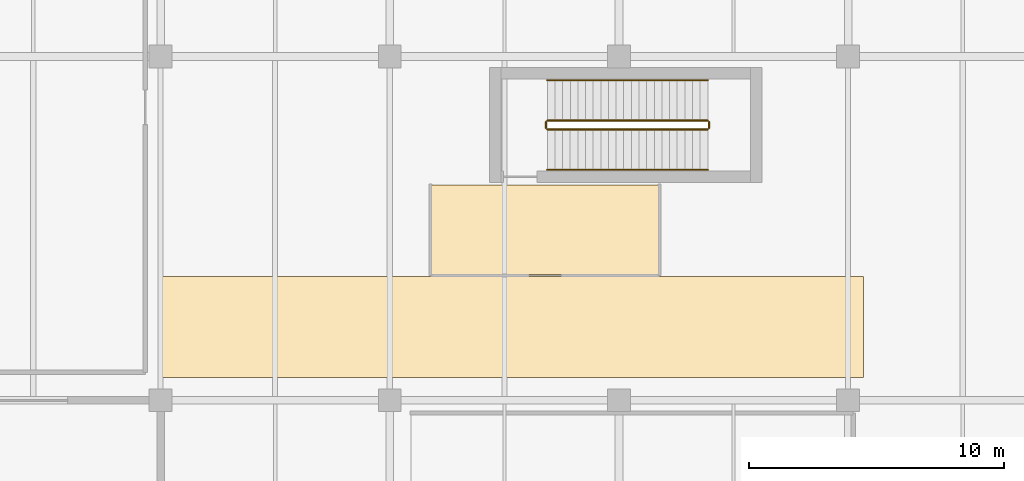
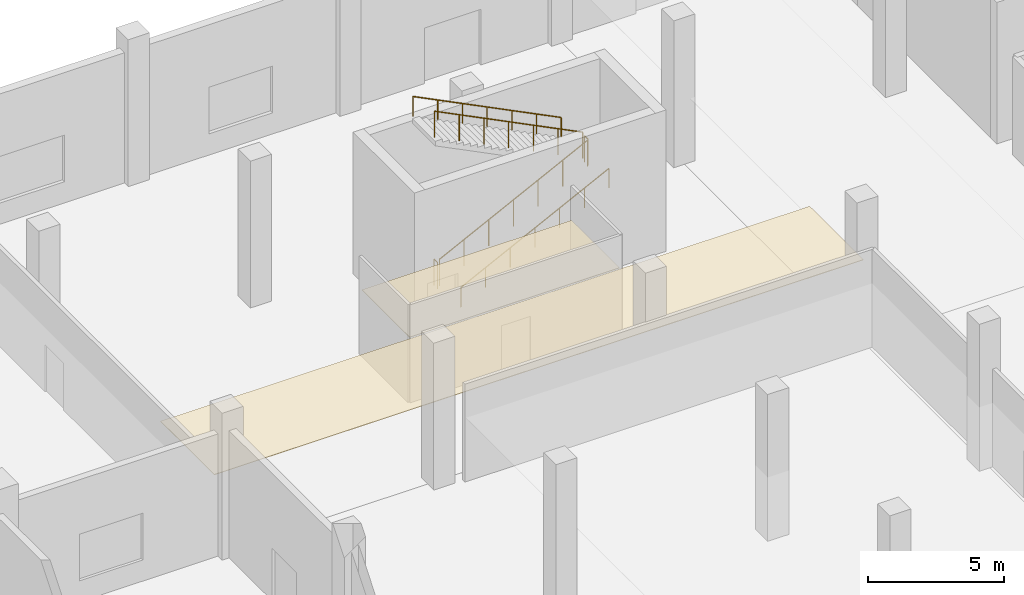
# One storey, part 62 of 65: 6 railings, 2 coverings.
"""IFC4 building model written with IfcOpenShell, lengths in metres."""

import ifcopenshell
import ifcopenshell.guid

model = None  # the IFC model being written
_history = None  # IfcOwnerHistory: only IFC2X3 demands one
_inside = {}  # id of a spatial element -> (the spatial element, [elements in it])
_under = {}  # id of a project, library or spatial element -> (it, [spatial elements below it])
_declared = {}  # id of a project -> (the project, [libraries it declares])
_typed = {}  # id of a type object -> (the type object, [elements of that type])
_made_of = {}  # id of a material, layer set ... -> (it, [elements and type objects made of it])


def new_model(schema):
    """Start an empty IFC model of exactly this schema.

    Asked for "IFC4X3", IfcOpenShell would pick the latest addendum, in which some entities
    have other attributes; the version numbers below select the first issue.
    IFC2X3 requires an IfcOwnerHistory on every rooted entity: one is made here for all.
    """
    global model, _history
    if schema == "IFC4X3":
        model = ifcopenshell.file(schema_version=(4, 3, 0, 0))
    else:
        model = ifcopenshell.file(schema=schema)
    _inside.clear()
    _under.clear()
    _declared.clear()
    _typed.clear()
    _made_of.clear()
    _history = None
    if model.schema == "IFC2X3":
        org = make("IfcOrganization", Name="unknown")
        user = make(
            "IfcPersonAndOrganization",
            ThePerson=make("IfcPerson", FamilyName="unknown"),
            TheOrganization=org,
        )
        app = make(
            "IfcApplication",
            ApplicationDeveloper=org,
            Version="unknown",
            ApplicationFullName="unknown",
            ApplicationIdentifier="unknown",
        )
        _history = make(
            "IfcOwnerHistory",
            OwningUser=user,
            OwningApplication=app,
            ChangeAction="ADDED",
            CreationDate=0,
        )
    return model


def make(cls, **values):
    """One entity of the class cls with the attributes given. An attribute that is None is left unset."""
    return model.create_entity(
        cls, **{name: value for name, value in values.items() if value is not None}
    )


def rooted(cls, **values):
    """An entity with a GlobalId (a new one), such as an element, a storey or a relation."""
    return make(cls, GlobalId=ifcopenshell.guid.new(), OwnerHistory=_history, **values)


def si_unit(unit_type, name, prefix=None):
    """IfcSIUnit, for example si_unit("LENGTHUNIT", "METRE", prefix="MILLI")."""
    return make("IfcSIUnit", UnitType=unit_type, Prefix=prefix, Name=name)


def assignment(units):
    """IfcUnitAssignment: the units of a project."""
    return None if units is None else make("IfcUnitAssignment", Units=units)


def point(xyz):
    """IfcCartesianPoint."""
    return None if xyz is None else make("IfcCartesianPoint", Coordinates=xyz)


def direction(xyz):
    """IfcDirection."""
    return None if xyz is None else make("IfcDirection", DirectionRatios=xyz)


def frame(location, z_axis=None, x_axis=None):
    """IfcAxis2Placement3D, a coordinate frame: its origin and axes. An axis left out is left unset."""
    return make(
        "IfcAxis2Placement3D",
        Location=point(location),
        Axis=direction(z_axis),
        RefDirection=direction(x_axis),
    )


def frame_2d(location, x_axis=None):
    """IfcAxis2Placement2D, a coordinate frame in the plane: its origin and x axis."""
    return make(
        "IfcAxis2Placement2D", Location=point(location), RefDirection=direction(x_axis)
    )


def origin():
    """The frame at (0, 0, 0) with its axes left unset."""
    return frame((0.0, 0.0, 0.0))


def origin_2d():
    """The frame at (0, 0) in the plane with its x axis left unset."""
    return frame_2d((0.0, 0.0))


def place(relative_to, where):
    """IfcLocalPlacement: puts the frame where relative to a parent placement (None: the world)."""
    return make(
        "IfcLocalPlacement", PlacementRelTo=relative_to, RelativePlacement=where
    )


def context(
    kind, dimensions, precision=None, world=None, true_north=None, identifier=None
):
    """IfcGeometricRepresentationContext, for example the 3D "Model" context."""
    return make(
        "IfcGeometricRepresentationContext",
        ContextIdentifier=identifier,
        ContextType=kind,
        CoordinateSpaceDimension=dimensions,
        Precision=precision,
        WorldCoordinateSystem=world,
        TrueNorth=true_north,
    )


def subcontext(parent, identifier, kind, view, scale=None):
    """IfcGeometricRepresentationSubContext, for example "Body" below "Model"."""
    return make(
        "IfcGeometricRepresentationSubContext",
        ContextIdentifier=identifier,
        ContextType=kind,
        ParentContext=parent,
        TargetScale=scale,
        TargetView=view,
    )


def project(units=None, contexts=None):
    """IfcProject with its units and contexts."""
    return rooted(
        "IfcProject",
        Name="project",
        RepresentationContexts=contexts,
        UnitsInContext=assignment(units),
    )


def spatial(cls, under=None, at=None, **own):
    """A site, building, storey or space (cls), placed at a placement, below another one or the project."""
    s = rooted(cls, ObjectPlacement=at, **own)
    if under is not None:
        _under.setdefault(under.id(), (under, []))[1].append(s)
    return s


def polyline(points):
    """IfcPolyline through the points."""
    return make("IfcPolyline", Points=[point(p) for p in points])


def profile(cls, at=None, kind="AREA", **sizes):
    """A parametric profile (cls). Its sizes go by their IFC names, for example OverallWidth=200.0."""
    return make(cls, ProfileType=kind, Position=at, **sizes)


def circle(**sizes):
    """IfcCircleProfileDef."""
    return profile("IfcCircleProfileDef", **sizes)


def outline(outer, holes=None, kind="AREA"):
    """IfcArbitraryClosedProfileDef: a profile drawn as a closed curve; with holes, ...WithVoids."""
    if holes is None:
        return make("IfcArbitraryClosedProfileDef", ProfileType=kind, OuterCurve=outer)
    return make(
        "IfcArbitraryProfileDefWithVoids",
        ProfileType=kind,
        OuterCurve=outer,
        InnerCurves=holes,
    )


def extrude(swept, where, along, depth):
    """IfcExtrudedAreaSolid: the profile swept, set in the frame where, extruded along a direction by depth."""
    return make(
        "IfcExtrudedAreaSolid",
        SweptArea=swept,
        Position=where,
        ExtrudedDirection=direction(along),
        Depth=depth,
    )


def shape(context_of_items, identifier, shape_type, items):
    """IfcShapeRepresentation: the items that make up one representation, for example the "Body"."""
    return make(
        "IfcShapeRepresentation",
        ContextOfItems=context_of_items,
        RepresentationIdentifier=identifier,
        RepresentationType=shape_type,
        Items=items,
    )


def material(Name=None, Category=None):
    """IfcMaterial."""
    return make("IfcMaterial", Name=Name, Category=Category)


def layer(
    of_material, thickness, ventilated=None, Name=None, Category=None, Priority=None
):
    """IfcMaterialLayer: one layer of a wall or slab, of a material (None: an air gap)."""
    return make(
        "IfcMaterialLayer",
        Material=of_material,
        LayerThickness=thickness,
        IsVentilated=ventilated,
        Name=Name,
        Category=Category,
        Priority=Priority,
    )


def layer_set(layers, Name=None):
    """IfcMaterialLayerSet."""
    return make("IfcMaterialLayerSet", MaterialLayers=layers, LayerSetName=Name)


def made_of(thing, what):
    """Note that an element or type object is made of a material, layer set ...; save() writes the relation."""
    if what is not None:
        _made_of.setdefault(what.id(), (what, []))[1].append(thing)
    return thing


def type_object(cls, material=None, **own):
    """A type object (cls), such as IfcWallType, which elements share."""
    return made_of(rooted(cls, **own), material)


def element(
    cls,
    number,
    at=None,
    inside=None,
    cuts=None,
    type_object=None,
    material=None,
    context=None,
    identifier="Body",
    shape_type=None,
    held_by="IfcProductDefinitionShape",
    body=None,
    shapes=None,
    **own,
):
    """One element of the class cls, such as IfcWall. Its Tag is "e" and its number.

    at: its placement. inside: the storey or other place that contains it. cuts: it is an
    opening in that element (IfcRelVoidsElement). A single representation is given by context,
    identifier, shape_type and body (its items); several are given by shapes. held_by: the class
    of the entity that holds the representations. save() writes the other relations.
    """
    e = rooted(cls, Tag="e%d" % number, ObjectPlacement=at, **own)
    if body is not None:
        shapes = [shape(context, identifier, shape_type, body)]
    if shapes is not None:
        e.Representation = make(held_by, Representations=shapes)
    if inside is not None:
        _inside.setdefault(inside.id(), (inside, []))[1].append(e)
    if cuts is not None:
        rooted(
            "IfcRelVoidsElement", RelatingBuildingElement=cuts, RelatedOpeningElement=e
        )
    if type_object is not None:
        _typed.setdefault(type_object.id(), (type_object, []))[1].append(e)
    return made_of(e, material)


def aggregate(whole, parts):
    """IfcRelAggregates: a whole, such as a stair, and the parts it consists of."""
    return rooted("IfcRelAggregates", RelatingObject=whole, RelatedObjects=parts)


def save(model, path):
    """Write the relations noted so far, then the file.

    IfcRelAggregates (storeys below a building ...), IfcRelContainedInSpatialStructure (elements
    in a storey), IfcRelDefinesByType, IfcRelAssociatesMaterial and IfcRelDeclares: one each for
    every whole, place, type object, material and project.
    """
    for whole, parts in _under.values():
        aggregate(whole, parts)
    for where, things in _inside.values():
        rooted(
            "IfcRelContainedInSpatialStructure",
            RelatedElements=things,
            RelatingStructure=where,
        )
    for kind, things in _typed.values():
        rooted("IfcRelDefinesByType", RelatedObjects=things, RelatingType=kind)
    for what, things in _made_of.values():
        rooted("IfcRelAssociatesMaterial", RelatedObjects=things, RelatingMaterial=what)
    for by, libraries in _declared.values():
        rooted("IfcRelDeclares", RelatingContext=by, RelatedDefinitions=libraries)
    model.write(path)


model = new_model("IFC4")

# Units and contexts
model_context = context("Model", 3, precision=1e-05, world=origin(), true_north=direction((0.0, 1.0)))
body_context = subcontext(model_context, "Body", "Model", "MODEL_VIEW")
ifc_project = project(units=[si_unit("LENGTHUNIT", "METRE"), si_unit("AREAUNIT", "SQUARE_METRE"), si_unit("VOLUMEUNIT", "CUBIC_METRE"), si_unit("PLANEANGLEUNIT", "RADIAN"), si_unit("MASSUNIT", "GRAM", prefix="KILO")], contexts=[model_context])

# Site, building, storey
site_placement = place(None, origin())
site = spatial("IfcSite", under=ifc_project, at=site_placement, CompositionType="ELEMENT")
building_placement = place(site_placement, origin())
building = spatial("IfcBuilding", under=site, at=building_placement, Name="Chuanluo Vaults Station", CompositionType="ELEMENT")
storey_placement = place(building_placement, origin())
storey = spatial("IfcBuildingStorey", under=building, at=storey_placement, Name="L00", CompositionType="ELEMENT", Elevation=0.0)

# Coverings
ifc_material_1 = material(Name="Acoustic mineral-fibre tile")
ifc_layer = layer(ifc_material_1, 0.02490234375)
ifc_layer_set = layer_set([ifc_layer], Name="Acoustic mineral-fibre tile")
covering_type = type_object("IfcCoveringType", Name="COV-CEIL-TILE", PredefinedType="CEILING", material=ifc_layer_set)
covering_1_placement = place(storey_placement, frame((0.0, 0.0, 2.85009765625)))
element("IfcCovering", 1, at=covering_1_placement, inside=storey, type_object=covering_type, Name="L00-27 suspended acoustic ceiling", PredefinedType="CEILING", context=body_context, shape_type="SweptSolid", body=[
    extrude(outline(polyline([(136.0, 104.39990234375), (163.60009765625, 104.39990234375), (163.60009765625, 108.360107421875), (136.0, 108.360107421875), (136.0, 104.39990234375)])), origin(), (0.0, 0.0, 1.0), 0.02490234375),
])
covering_2_placement = place(storey_placement, frame((0.0, 0.0, 2.85009765625)))
element("IfcCovering", 2, at=covering_2_placement, inside=storey, type_object=covering_type, Name="L00-30 suspended acoustic ceiling", PredefinedType="CEILING", context=body_context, shape_type="SweptSolid", body=[
    extrude(outline(polyline([(146.639892578125, 108.43994140625), (155.56005859375, 108.43994140625), (155.56005859375, 111.9599609375), (146.639892578125, 111.9599609375), (146.639892578125, 108.43994140625)])), origin(), (0.0, 0.0, 1.0), 0.02490234375),
])

# Railings
ifc_material_2 = material(Name="Tempered laminated balustrade glass", Category="glass")
railing_type_1 = type_object("IfcRailingType", Name="RLG-GUARD-1200", PredefinedType="BALUSTRADE", material=ifc_material_2)
railing_1_placement = place(storey_placement, frame((151.1875, 114.135009765625, 0.14990234375)))
element("IfcRailing", 3, at=railing_1_placement, inside=storey, type_object=railing_type_1, Name="L00 ST-03 stair guard 1", PredefinedType="BALUSTRADE", context=body_context, shape_type="SweptSolid", body=[
    extrude(circle(Radius=0.02392578125, at=origin_2d()), frame((0.0, 0.0, 1.17578125), z_axis=(0.894420258746, 0.0, 0.44722745974), x_axis=(0.0, 1.0, 0.0)), (0.0, 0.0, 1.0), 7.043701171875),
    extrude(circle(Radius=0.02099609375, at=origin_2d()), origin(), (0.0, 0.0, 1.0), 1.15185546875),
    extrude(circle(Radius=0.02099609375, at=origin_2d()), frame((1.050048828125, 0.0, 0.52490234375)), (0.0, 0.0, 1.0), 1.15185546875),
    extrude(circle(Radius=0.02099609375, at=origin_2d()), frame((2.10009765625, 0.0, 1.050048828125)), (0.0, 0.0, 1.0), 1.15185546875),
    extrude(circle(Radius=0.02099609375, at=origin_2d()), frame((3.14990234375, 0.0, 1.5751953125)), (0.0, 0.0, 1.0), 1.15185546875),
    extrude(circle(Radius=0.02099609375, at=origin_2d()), frame((4.199951171875, 0.0, 2.10009765625)), (0.0, 0.0, 1.0), 1.15185546875),
    extrude(circle(Radius=0.02099609375, at=origin_2d()), frame((5.25, 0.0, 2.625)), (0.0, 0.0, 1.0), 1.15185546875),
    extrude(circle(Radius=0.02099609375, at=origin_2d()), frame((6.300048828125, 0.0, 3.150146484375)), (0.0, 0.0, 1.0), 1.15185546875),
])
railing_2_placement = place(storey_placement, frame((157.53759765625, 114.18505859375, 3.300048828125)))
element("IfcRailing", 4, at=railing_2_placement, inside=storey, type_object=railing_type_1, Name="L00 ST-03 stair guard 2", PredefinedType="BALUSTRADE", context=body_context, shape_type="SweptSolid", body=[
    extrude(circle(Radius=0.02392578125, at=origin_2d()), frame((0.0, 0.0, 1.17578125), z_axis=(0.0, 1.0, 0.0), x_axis=(-1.0, 0.0, 0.0)), (0.0, 0.0, 1.0), 0.25),
    extrude(circle(Radius=0.02099609375, at=origin_2d()), origin(), (0.0, 0.0, 1.0), 1.15185546875),
    extrude(circle(Radius=0.02099609375, at=origin_2d()), frame((0.0, 0.25, 0.0)), (0.0, 0.0, 1.0), 1.15185546875),
])
railing_3_placement = place(storey_placement, frame((157.487548828125, 114.485107421875, 3.449951171875)))
element("IfcRailing", 5, at=railing_3_placement, inside=storey, type_object=railing_type_1, Name="L00 ST-03 stair guard 3", PredefinedType="BALUSTRADE", context=body_context, shape_type="SweptSolid", body=[
    extrude(circle(Radius=0.02392578125, at=origin_2d()), frame((0.0, 0.0, 1.17578125), z_axis=(-0.894420258746, 0.0, 0.44722745974), x_axis=(0.0, -1.0, 0.0)), (0.0, 0.0, 1.0), 7.043701171875),
    extrude(circle(Radius=0.02099609375, at=origin_2d()), origin(), (0.0, 0.0, 1.0), 1.15185546875),
    extrude(circle(Radius=0.02099609375, at=origin_2d()), frame((-1.050048828125, 0.0, 0.52490234375)), (0.0, 0.0, 1.0), 1.15185546875),
    extrude(circle(Radius=0.02099609375, at=origin_2d()), frame((-2.10009765625, 0.0, 1.050048828125)), (0.0, 0.0, 1.0), 1.15185546875),
    extrude(circle(Radius=0.02099609375, at=origin_2d()), frame((-3.14990234375, 0.0, 1.5751953125)), (0.0, 0.0, 1.0), 1.15185546875),
    extrude(circle(Radius=0.02099609375, at=origin_2d()), frame((-4.199951171875, 0.0, 2.10009765625)), (0.0, 0.0, 1.0), 1.15185546875),
    extrude(circle(Radius=0.02099609375, at=origin_2d()), frame((-5.25, 0.0, 2.625)), (0.0, 0.0, 1.0), 1.15185546875),
    extrude(circle(Radius=0.02099609375, at=origin_2d()), frame((-6.300048828125, 0.0, 3.150146484375)), (0.0, 0.0, 1.0), 1.15185546875),
])
railing_4_placement = place(storey_placement, frame((151.137451171875, 114.18505859375, 0.0)))
element("IfcRailing", 6, at=railing_4_placement, inside=storey, type_object=railing_type_1, Name="L00 ST-03 stair guard 4", PredefinedType="BALUSTRADE", context=body_context, shape_type="SweptSolid", body=[
    extrude(circle(Radius=0.02392578125, at=origin_2d()), frame((0.0, 0.0, 1.17578125), z_axis=(0.0, 1.0, 0.0), x_axis=(-1.0, 0.0, 0.0)), (0.0, 0.0, 1.0), 0.25),
    extrude(circle(Radius=0.02099609375, at=origin_2d()), origin(), (0.0, 0.0, 1.0), 1.15185546875),
    extrude(circle(Radius=0.02099609375, at=origin_2d()), frame((0.0, 0.25, 0.0)), (0.0, 0.0, 1.0), 1.15185546875),
])
ifc_material_3 = material(Name="Brushed stainless steel 304", Category="steel")
railing_type_2 = type_object("IfcRailingType", Name="RLG-HAND-900", PredefinedType="HANDRAIL", material=ifc_material_3)
railing_5_placement = place(storey_placement, frame((151.1875, 112.550048828125, 0.14990234375)))
element("IfcRailing", 7, at=railing_5_placement, inside=storey, type_object=railing_type_2, Name="L00 ST-03 stair handrail 1", PredefinedType="HANDRAIL", context=body_context, shape_type="SweptSolid", body=[
    extrude(circle(Radius=0.02392578125, at=origin_2d()), frame((0.0, 0.0, 0.8759765625), z_axis=(0.894420258746, 0.0, 0.44722745974), x_axis=(0.0, 1.0, 0.0)), (0.0, 0.0, 1.0), 7.043701171875),
    extrude(circle(Radius=0.02099609375, at=origin_2d()), origin(), (0.0, 0.0, 1.0), 0.851806640625),
    extrude(circle(Radius=0.02099609375, at=origin_2d()), frame((1.050048828125, 0.0, 0.52490234375)), (0.0, 0.0, 1.0), 0.851806640625),
    extrude(circle(Radius=0.02099609375, at=origin_2d()), frame((2.10009765625, 0.0, 1.050048828125)), (0.0, 0.0, 1.0), 0.851806640625),
    extrude(circle(Radius=0.02099609375, at=origin_2d()), frame((3.14990234375, 0.0, 1.5751953125)), (0.0, 0.0, 1.0), 0.851806640625),
    extrude(circle(Radius=0.02099609375, at=origin_2d()), frame((4.199951171875, 0.0, 2.10009765625)), (0.0, 0.0, 1.0), 0.851806640625),
    extrude(circle(Radius=0.02099609375, at=origin_2d()), frame((5.25, 0.0, 2.625)), (0.0, 0.0, 1.0), 0.851806640625),
    extrude(circle(Radius=0.02099609375, at=origin_2d()), frame((6.300048828125, 0.0, 3.150146484375)), (0.0, 0.0, 1.0), 0.851806640625),
])
railing_6_placement = place(storey_placement, frame((157.487548828125, 116.070068359375, 3.449951171875)))
element("IfcRailing", 8, at=railing_6_placement, inside=storey, type_object=railing_type_2, Name="L00 ST-03 stair handrail 2", PredefinedType="HANDRAIL", context=body_context, shape_type="SweptSolid", body=[
    extrude(circle(Radius=0.02392578125, at=origin_2d()), frame((0.0, 0.0, 0.8759765625), z_axis=(-0.894420258746, 0.0, 0.44722745974), x_axis=(0.0, -1.0, 0.0)), (0.0, 0.0, 1.0), 7.043701171875),
    extrude(circle(Radius=0.02099609375, at=origin_2d()), origin(), (0.0, 0.0, 1.0), 0.851806640625),
    extrude(circle(Radius=0.02099609375, at=origin_2d()), frame((-1.050048828125, 0.0, 0.52490234375)), (0.0, 0.0, 1.0), 0.851806640625),
    extrude(circle(Radius=0.02099609375, at=origin_2d()), frame((-2.10009765625, 0.0, 1.050048828125)), (0.0, 0.0, 1.0), 0.851806640625),
    extrude(circle(Radius=0.02099609375, at=origin_2d()), frame((-3.14990234375, 0.0, 1.5751953125)), (0.0, 0.0, 1.0), 0.851806640625),
    extrude(circle(Radius=0.02099609375, at=origin_2d()), frame((-4.199951171875, 0.0, 2.10009765625)), (0.0, 0.0, 1.0), 0.851806640625),
    extrude(circle(Radius=0.02099609375, at=origin_2d()), frame((-5.25, 0.0, 2.625)), (0.0, 0.0, 1.0), 0.851806640625),
    extrude(circle(Radius=0.02099609375, at=origin_2d()), frame((-6.300048828125, 0.0, 3.150146484375)), (0.0, 0.0, 1.0), 0.851806640625),
])

save(model, "model.ifc")
